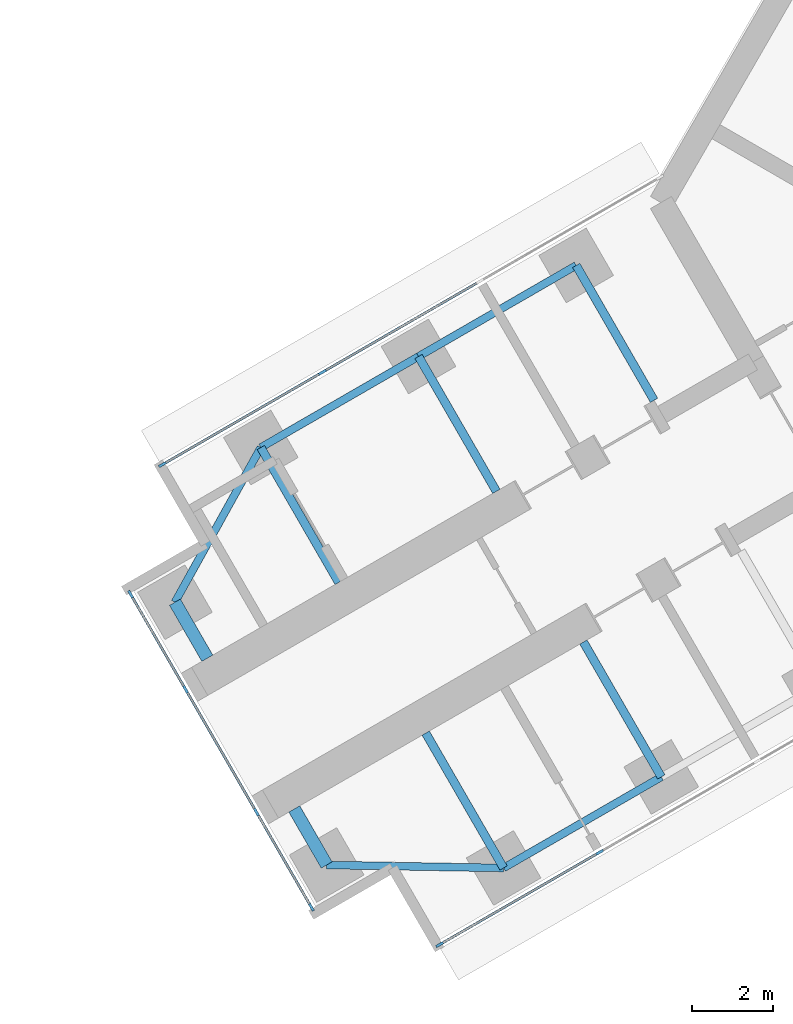
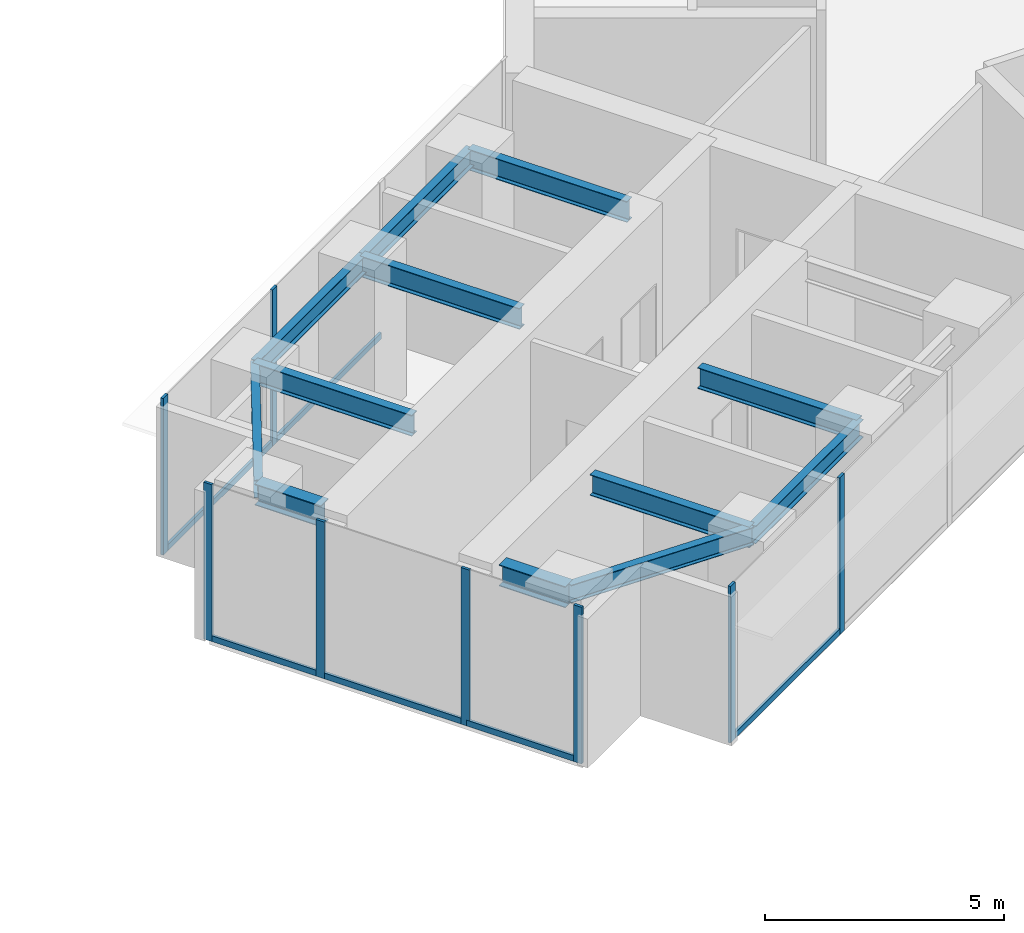
# One storey, part 3 of 21: 14 members, 12 beams, 3 elements without a shape of their own.
"""IFC4 building model written with IfcOpenShell, lengths in metres."""

import ifcopenshell
import ifcopenshell.guid

model = None  # the IFC model being written
_history = None  # IfcOwnerHistory: only IFC2X3 demands one
_inside = {}  # id of a spatial element -> (the spatial element, [elements in it])
_under = {}  # id of a project, library or spatial element -> (it, [spatial elements below it])
_declared = {}  # id of a project -> (the project, [libraries it declares])
_typed = {}  # id of a type object -> (the type object, [elements of that type])
_made_of = {}  # id of a material, layer set ... -> (it, [elements and type objects made of it])


def new_model(schema):
    """Start an empty IFC model of exactly this schema.

    Asked for "IFC4X3", IfcOpenShell would pick the latest addendum, in which some entities
    have other attributes; the version numbers below select the first issue.
    IFC2X3 requires an IfcOwnerHistory on every rooted entity: one is made here for all.
    """
    global model, _history
    if schema == "IFC4X3":
        model = ifcopenshell.file(schema_version=(4, 3, 0, 0))
    else:
        model = ifcopenshell.file(schema=schema)
    _inside.clear()
    _under.clear()
    _declared.clear()
    _typed.clear()
    _made_of.clear()
    _history = None
    if model.schema == "IFC2X3":
        org = make("IfcOrganization", Name="unknown")
        user = make(
            "IfcPersonAndOrganization",
            ThePerson=make("IfcPerson", FamilyName="unknown"),
            TheOrganization=org,
        )
        app = make(
            "IfcApplication",
            ApplicationDeveloper=org,
            Version="unknown",
            ApplicationFullName="unknown",
            ApplicationIdentifier="unknown",
        )
        _history = make(
            "IfcOwnerHistory",
            OwningUser=user,
            OwningApplication=app,
            ChangeAction="ADDED",
            CreationDate=0,
        )
    return model


def make(cls, **values):
    """One entity of the class cls with the attributes given. An attribute that is None is left unset."""
    return model.create_entity(
        cls, **{name: value for name, value in values.items() if value is not None}
    )


def rooted(cls, **values):
    """An entity with a GlobalId (a new one), such as an element, a storey or a relation."""
    return make(cls, GlobalId=ifcopenshell.guid.new(), OwnerHistory=_history, **values)


def si_unit(unit_type, name, prefix=None):
    """IfcSIUnit, for example si_unit("LENGTHUNIT", "METRE", prefix="MILLI")."""
    return make("IfcSIUnit", UnitType=unit_type, Prefix=prefix, Name=name)


def assignment(units):
    """IfcUnitAssignment: the units of a project."""
    return None if units is None else make("IfcUnitAssignment", Units=units)


def point(xyz):
    """IfcCartesianPoint."""
    return None if xyz is None else make("IfcCartesianPoint", Coordinates=xyz)


def direction(xyz):
    """IfcDirection."""
    return None if xyz is None else make("IfcDirection", DirectionRatios=xyz)


def frame(location, z_axis=None, x_axis=None):
    """IfcAxis2Placement3D, a coordinate frame: its origin and axes. An axis left out is left unset."""
    return make(
        "IfcAxis2Placement3D",
        Location=point(location),
        Axis=direction(z_axis),
        RefDirection=direction(x_axis),
    )


def frame_2d(location, x_axis=None):
    """IfcAxis2Placement2D, a coordinate frame in the plane: its origin and x axis."""
    return make(
        "IfcAxis2Placement2D", Location=point(location), RefDirection=direction(x_axis)
    )


def origin():
    """The frame at (0, 0, 0) with its axes left unset."""
    return frame((0.0, 0.0, 0.0))


def origin_2d():
    """The frame at (0, 0) in the plane with its x axis left unset."""
    return frame_2d((0.0, 0.0))


def place(relative_to, where):
    """IfcLocalPlacement: puts the frame where relative to a parent placement (None: the world)."""
    return make(
        "IfcLocalPlacement", PlacementRelTo=relative_to, RelativePlacement=where
    )


def context(
    kind, dimensions, precision=None, world=None, true_north=None, identifier=None
):
    """IfcGeometricRepresentationContext, for example the 3D "Model" context."""
    return make(
        "IfcGeometricRepresentationContext",
        ContextIdentifier=identifier,
        ContextType=kind,
        CoordinateSpaceDimension=dimensions,
        Precision=precision,
        WorldCoordinateSystem=world,
        TrueNorth=true_north,
    )


def subcontext(parent, identifier, kind, view, scale=None):
    """IfcGeometricRepresentationSubContext, for example "Body" below "Model"."""
    return make(
        "IfcGeometricRepresentationSubContext",
        ContextIdentifier=identifier,
        ContextType=kind,
        ParentContext=parent,
        TargetScale=scale,
        TargetView=view,
    )


def project(units=None, contexts=None):
    """IfcProject with its units and contexts."""
    return rooted(
        "IfcProject",
        Name="project",
        RepresentationContexts=contexts,
        UnitsInContext=assignment(units),
    )


def spatial(cls, under=None, at=None, **own):
    """A site, building, storey or space (cls), placed at a placement, below another one or the project."""
    s = rooted(cls, ObjectPlacement=at, **own)
    if under is not None:
        _under.setdefault(under.id(), (under, []))[1].append(s)
    return s


def profile(cls, at=None, kind="AREA", **sizes):
    """A parametric profile (cls). Its sizes go by their IFC names, for example OverallWidth=200.0."""
    return make(cls, ProfileType=kind, Position=at, **sizes)


def rectangle(**sizes):
    """IfcRectangleProfileDef."""
    return profile("IfcRectangleProfileDef", **sizes)


def i_section(**sizes):
    """IfcIShapeProfileDef."""
    return profile("IfcIShapeProfileDef", **sizes)


def extrude(swept, where, along, depth):
    """IfcExtrudedAreaSolid: the profile swept, set in the frame where, extruded along a direction by depth."""
    return make(
        "IfcExtrudedAreaSolid",
        SweptArea=swept,
        Position=where,
        ExtrudedDirection=direction(along),
        Depth=depth,
    )


def shape(context_of_items, identifier, shape_type, items):
    """IfcShapeRepresentation: the items that make up one representation, for example the "Body"."""
    return make(
        "IfcShapeRepresentation",
        ContextOfItems=context_of_items,
        RepresentationIdentifier=identifier,
        RepresentationType=shape_type,
        Items=items,
    )


def material(Name=None, Category=None):
    """IfcMaterial."""
    return make("IfcMaterial", Name=Name, Category=Category)


def material_profile(
    of_material, cross_section, Name=None, Category=None, Priority=None
):
    """IfcMaterialProfile: a cross section and its material."""
    return make(
        "IfcMaterialProfile",
        Name=Name,
        Material=of_material,
        Profile=cross_section,
        Priority=Priority,
        Category=Category,
    )


def profile_set(profiles, Name=None, composite=None):
    """IfcMaterialProfileSet."""
    return make(
        "IfcMaterialProfileSet",
        Name=Name,
        MaterialProfiles=profiles,
        CompositeProfile=composite,
    )


def made_of(thing, what):
    """Note that an element or type object is made of a material, layer set ...; save() writes the relation."""
    if what is not None:
        _made_of.setdefault(what.id(), (what, []))[1].append(thing)
    return thing


def type_object(cls, material=None, **own):
    """A type object (cls), such as IfcWallType, which elements share."""
    return made_of(rooted(cls, **own), material)


def element(
    cls,
    number,
    at=None,
    inside=None,
    cuts=None,
    type_object=None,
    material=None,
    context=None,
    identifier="Body",
    shape_type=None,
    held_by="IfcProductDefinitionShape",
    body=None,
    shapes=None,
    **own,
):
    """One element of the class cls, such as IfcWall. Its Tag is "e" and its number.

    at: its placement. inside: the storey or other place that contains it. cuts: it is an
    opening in that element (IfcRelVoidsElement). A single representation is given by context,
    identifier, shape_type and body (its items); several are given by shapes. held_by: the class
    of the entity that holds the representations. save() writes the other relations.
    """
    e = rooted(cls, Tag="e%d" % number, ObjectPlacement=at, **own)
    if body is not None:
        shapes = [shape(context, identifier, shape_type, body)]
    if shapes is not None:
        e.Representation = make(held_by, Representations=shapes)
    if inside is not None:
        _inside.setdefault(inside.id(), (inside, []))[1].append(e)
    if cuts is not None:
        rooted(
            "IfcRelVoidsElement", RelatingBuildingElement=cuts, RelatedOpeningElement=e
        )
    if type_object is not None:
        _typed.setdefault(type_object.id(), (type_object, []))[1].append(e)
    return made_of(e, material)


def aggregate(whole, parts):
    """IfcRelAggregates: a whole, such as a stair, and the parts it consists of."""
    return rooted("IfcRelAggregates", RelatingObject=whole, RelatedObjects=parts)


def save(model, path):
    """Write the relations noted so far, then the file.

    IfcRelAggregates (storeys below a building ...), IfcRelContainedInSpatialStructure (elements
    in a storey), IfcRelDefinesByType, IfcRelAssociatesMaterial and IfcRelDeclares: one each for
    every whole, place, type object, material and project.
    """
    for whole, parts in _under.values():
        aggregate(whole, parts)
    for where, things in _inside.values():
        rooted(
            "IfcRelContainedInSpatialStructure",
            RelatedElements=things,
            RelatingStructure=where,
        )
    for kind, things in _typed.values():
        rooted("IfcRelDefinesByType", RelatedObjects=things, RelatingType=kind)
    for what, things in _made_of.values():
        rooted("IfcRelAssociatesMaterial", RelatedObjects=things, RelatingMaterial=what)
    for by, libraries in _declared.values():
        rooted("IfcRelDeclares", RelatingContext=by, RelatedDefinitions=libraries)
    model.write(path)


model = new_model("IFC4")

# Units and contexts
model_context = context("Model", 3, precision=1e-05, world=origin(), true_north=direction((0.0, 1.0)))
body_context = subcontext(model_context, "Body", "Model", "MODEL_VIEW")
ifc_project = project(units=[si_unit("LENGTHUNIT", "METRE"), si_unit("AREAUNIT", "SQUARE_METRE"), si_unit("VOLUMEUNIT", "CUBIC_METRE"), si_unit("PLANEANGLEUNIT", "RADIAN"), si_unit("MASSUNIT", "GRAM", prefix="KILO")], contexts=[model_context])

# Site, building, storey
site_placement = place(None, origin())
site = spatial("IfcSite", under=ifc_project, at=site_placement, CompositionType="ELEMENT")
building_placement = place(site_placement, origin())
building = spatial("IfcBuilding", under=site, at=building_placement, Name="Upepo Twin Towers", CompositionType="ELEMENT")
storey_placement = place(building_placement, frame((0.0, 0.0, 117.5)))
storey = spatial("IfcBuildingStorey", under=building, at=storey_placement, Name="L28", CompositionType="ELEMENT", Elevation=117.5)

# Beams
ifc_material_1 = material(Name="Steel S355", Category="steel")
ifc_material_profile_1 = material_profile(ifc_material_1, i_section(OverallWidth=0.1904296875, OverallDepth=0.45703125, WebThickness=0.009033203125, FlangeThickness=0.014404296875, FilletRadius=0.01025390625, at=origin_2d()), Name="UB 457x191x74")
ifc_profile_set_1 = profile_set([ifc_material_profile_1], Name="Steel S355")
beam_type_1 = type_object("IfcBeamType", Name="Beam UB 457x191x74", PredefinedType="BEAM", material=ifc_profile_set_1)
beam_1_placement = place(storey_placement, frame((45.91162109375, -32.196044921875, 3.571533203125), z_axis=(-0.866031096941, -0.499990139034, 0.0), x_axis=(0.499990139034, -0.866031096941, 0.0)))
element("IfcBeam", 1, at=beam_1_placement, inside=storey, type_object=beam_type_1, Name="T2 edge beam BL 18.0-22.5", PredefinedType="BEAM", context=body_context, shape_type="SweptSolid", body=[
    extrude(i_section(OverallWidth=0.1904296875, OverallDepth=0.45703125, WebThickness=0.009033203125, FlangeThickness=0.014404296875, FilletRadius=0.01025390625, at=origin_2d()), origin(), (0.0, 0.0, 1.0), 4.5),
])
beam_2_placement = place(storey_placement, frame((42.014404296875, -34.446044921875, 3.571533203125), z_axis=(-0.999858804832, 0.016803880528, 0.0), x_axis=(-0.016803880528, -0.999858804832, 0.0)))
element("IfcBeam", 2, at=beam_2_placement, inside=storey, type_object=beam_type_1, Name="T2 nose edge beam BL", PredefinedType="BEAM", context=body_context, shape_type="SweptSolid", body=[
    extrude(i_section(OverallWidth=0.1904296875, OverallDepth=0.45703125, WebThickness=0.009033203125, FlangeThickness=0.014404296875, FilletRadius=0.01025390625, at=origin_2d()), origin(), (0.0, 0.0, 1.0), 4.373291015625),
])
beam_3_placement = place(storey_placement, frame((43.80859375, -19.553955078125, 3.571533203125), z_axis=(-0.866017533419, -0.500013631625, 0.0), x_axis=(0.500013631625, -0.866017533419, 0.0)))
element("IfcBeam", 3, at=beam_3_placement, inside=storey, type_object=beam_type_1, Name="T2 edge beam BR 13.5-18.0", PredefinedType="BEAM", context=body_context, shape_type="SweptSolid", body=[
    extrude(i_section(OverallWidth=0.1904296875, OverallDepth=0.45703125, WebThickness=0.009033203125, FlangeThickness=0.014404296875, FilletRadius=0.01025390625, at=origin_2d()), origin(), (0.0, 0.0, 1.0), 4.499755859375),
])
beam_4_placement = place(storey_placement, frame((39.91162109375, -21.803955078125, 3.571533203125), z_axis=(-0.866031096941, -0.499990139034, 0.0), x_axis=(0.499990139034, -0.866031096941, 0.0)))
element("IfcBeam", 4, at=beam_4_placement, inside=storey, type_object=beam_type_1, Name="T2 edge beam BR 18.0-22.5", PredefinedType="BEAM", context=body_context, shape_type="SweptSolid", body=[
    extrude(i_section(OverallWidth=0.1904296875, OverallDepth=0.45703125, WebThickness=0.009033203125, FlangeThickness=0.014404296875, FilletRadius=0.01025390625, at=origin_2d()), origin(), (0.0, 0.0, 1.0), 4.5),
])
beam_5_placement = place(storey_placement, frame((36.014404296875, -24.053955078125, 3.571533203125), z_axis=(-0.485363242752, -0.874312600038, 0.0), x_axis=(0.874312600038, -0.485363242752, 0.0)))
element("IfcBeam", 5, at=beam_5_placement, inside=storey, type_object=beam_type_1, Name="T2 nose edge beam BR", PredefinedType="BEAM", context=body_context, shape_type="SweptSolid", body=[
    extrude(i_section(OverallWidth=0.1904296875, OverallDepth=0.45703125, WebThickness=0.009033203125, FlangeThickness=0.014404296875, FilletRadius=0.01025390625, at=origin_2d()), origin(), (0.0, 0.0, 1.0), 4.373046875),
])
ifc_material_2 = material(Name="Steel S355", Category="steel")
ifc_material_profile_2 = material_profile(ifc_material_2, i_section(OverallWidth=0.209228515625, OverallDepth=0.533203125, WebThickness=0.010009765625, FlangeThickness=0.015625, FilletRadius=0.0126953125, at=origin_2d()), Name="UB 533x210x92")
ifc_profile_set_2 = profile_set([ifc_material_profile_2], Name="Steel S355")
beam_type_2 = type_object("IfcBeamType", Name="Beam UB 533x210x92", PredefinedType="BEAM", material=ifc_profile_set_2)
for number, where, z_axis, x_axis, name in (
    (6, (45.91162109375, -32.196044921875, 3.533447265625), (-0.500033517596, 0.866006051527, 0.0), (-0.866006051527, -0.500033517596, 0.0), "T2 girder BL at 18.0"),
    (7, (42.014404296875, -34.446044921875, 3.533447265625), (-0.500033517596, 0.866006051527, 0.0), (-0.866006051527, -0.500033517596, 0.0), "T2 girder BL at 22.5"),
    (8, (43.80859375, -19.553955078125, 3.533447265625), (0.500033517596, -0.866006051527, 0.0), (0.866006051527, 0.500033517596, 0.0), "T2 girder BR at 13.5"),
):
    element("IfcBeam", number, at=place(storey_placement, frame(where, z_axis=z_axis, x_axis=x_axis)), inside=storey, type_object=beam_type_2, Name=name, PredefinedType="BEAM", context=body_context, shape_type="SweptSolid", body=[
        extrude(i_section(OverallWidth=0.209228515625, OverallDepth=0.533203125, WebThickness=0.010009765625, FlangeThickness=0.015625, FilletRadius=0.0126953125, at=origin_2d()), origin(), (0.0, 0.0, 1.0), 3.849853515625),
    ])
beam_6_placement = place(storey_placement, frame((39.91162109375, -21.803955078125, 3.533447265625), z_axis=(0.499985955615, -0.866033512162, 0.0), x_axis=(0.866033512162, 0.499985955615, 0.0)))
element("IfcBeam", 9, at=beam_6_placement, inside=storey, type_object=beam_type_2, Name="T2 girder BR at 18.0", PredefinedType="BEAM", context=body_context, shape_type="SweptSolid", body=[
    extrude(i_section(OverallWidth=0.209228515625, OverallDepth=0.533203125, WebThickness=0.010009765625, FlangeThickness=0.015625, FilletRadius=0.0126953125, at=origin_2d()), origin(), (0.0, 0.0, 1.0), 3.849609375),
])
beam_7_placement = place(storey_placement, frame((36.014404296875, -24.053955078125, 3.533447265625), z_axis=(0.500033517596, -0.866006051527, 0.0), x_axis=(0.866006051527, 0.500033517596, 0.0)))
element("IfcBeam", 10, at=beam_7_placement, inside=storey, type_object=beam_type_2, Name="T2 girder BR at 22.5", PredefinedType="BEAM", context=body_context, shape_type="SweptSolid", body=[
    extrude(i_section(OverallWidth=0.209228515625, OverallDepth=0.533203125, WebThickness=0.010009765625, FlangeThickness=0.015625, FilletRadius=0.0126953125, at=origin_2d()), origin(), (0.0, 0.0, 1.0), 3.849853515625),
])
ifc_material_3 = material(Name="Steel S355", Category="steel")
ifc_material_profile_3 = material_profile(ifc_material_3, i_section(OverallWidth=0.31201171875, OverallDepth=0.54345703125, WebThickness=0.0126953125, FlangeThickness=0.020263671875, FilletRadius=0.0126953125, at=origin_2d()), Name="UB 533x312x150")
ifc_profile_set_3 = profile_set([ifc_material_profile_3], Name="Steel S355")
beam_type_3 = type_object("IfcBeamType", Name="Beam UB 533x312x150", PredefinedType="BEAM", material=ifc_profile_set_3)
for number, where, z_axis, x_axis, name in (
    (11, (37.641845703125, -34.37255859375, 3.5283203125), (-0.500061482766, 0.865989903783, 0.0), (-0.865989903783, -0.500061482766, 0.0), "T2 nose beam BL"),
    (12, (33.891845703125, -27.87744140625, 3.5283203125), (0.500061482766, -0.865989903783, 0.0), (0.865989903783, 0.500061482766, 0.0), "T2 nose beam BR"),
):
    element("IfcBeam", number, at=place(storey_placement, frame(where, z_axis=z_axis, x_axis=x_axis)), inside=storey, type_object=beam_type_3, Name=name, PredefinedType="BEAM", context=body_context, shape_type="SweptSolid", body=[
        extrude(i_section(OverallWidth=0.31201171875, OverallDepth=0.54345703125, WebThickness=0.0126953125, FlangeThickness=0.020263671875, FilletRadius=0.0126953125, at=origin_2d()), origin(), (0.0, 0.0, 1.0), 1.599853515625),
    ])

# Curtain wall, members
ifc_material_4 = material(Name="Aluminium and fritted glass", Category="aluminium")
curtain_wall_type = type_object("IfcCurtainWallType", Name="Tower curtain wall TW2, fritted glass", PredefinedType="NOTDEFINED", material=ifc_material_4)
curtain_wall_1_placement = place(storey_placement, origin())
curtain_wall_1 = element("IfcCurtainWall", 13, at=curtain_wall_1_placement, inside=storey, type_object=curtain_wall_type, Name="T2 L28 wing B flank L curtain wall", PredefinedType="NOTDEFINED")
ifc_material_5 = material(Name="Aluminium mullion", Category="aluminium")
ifc_material_profile_4 = material_profile(ifc_material_5, rectangle(XDim=0.06494140625, YDim=0.199951171875, at=origin_2d()), Name="MULLION 65x200")
ifc_profile_set_4 = profile_set([ifc_material_profile_4], Name="Aluminium mullion")
member_type_1 = type_object("IfcMemberType", Name="Mullion 65x200 TW2", PredefinedType="MULLION", material=ifc_profile_set_4)
member_1_placement = place(storey_placement, frame((44.387939453125, -34.057373046875, 0.0), z_axis=(0.0, 0.0, 1.0), x_axis=(0.500000010308, -0.866025397833, 0.0)))
member_1 = element("IfcMember", 14, at=member_1_placement, type_object=member_type_1, Name="T2 L28 wing B flank L curtain wall mullion 3", PredefinedType="MULLION", context=body_context, shape_type="SweptSolid", body=[
    extrude(rectangle(XDim=0.06494140625, YDim=0.199951171875, at=origin_2d()), origin(), (0.0, 0.0, 1.0), 4.0),
])
member_2_placement = place(storey_placement, frame((40.432373046875, -36.341064453125, 0.0), z_axis=(0.0, 0.0, 1.0), x_axis=(0.500000010308, -0.866025397833, 0.0)))
member_2 = element("IfcMember", 15, at=member_2_placement, type_object=member_type_1, Name="T2 L28 wing B flank L curtain wall mullion 4", PredefinedType="MULLION", context=body_context, shape_type="SweptSolid", body=[
    extrude(rectangle(XDim=0.06494140625, YDim=0.199951171875, at=origin_2d()), origin(), (0.0, 0.0, 1.0), 4.0),
])

curtain_wall_2_placement = place(storey_placement, origin())
curtain_wall_2 = element("IfcCurtainWall", 16, at=curtain_wall_2_placement, inside=storey, type_object=curtain_wall_type, Name="T2 L28 wing B flank R curtain wall", PredefinedType="NOTDEFINED")
member_3_placement = place(storey_placement, frame((33.58251953125, -24.4765625, 0.0), z_axis=(0.0, 0.0, 1.0), x_axis=(-0.500000010308, 0.866025397833, 0.0)))
member_3 = element("IfcMember", 17, at=member_3_placement, type_object=member_type_1, Name="T2 L28 wing B flank R curtain wall mullion 1", PredefinedType="MULLION", context=body_context, shape_type="SweptSolid", body=[
    extrude(rectangle(XDim=0.06494140625, YDim=0.199951171875, at=origin_2d()), origin(), (0.0, 0.0, 1.0), 4.0),
])
member_4_placement = place(storey_placement, frame((37.5380859375, -22.192626953125, 0.0), z_axis=(0.0, 0.0, 1.0), x_axis=(-0.500000010308, 0.866025397833, 0.0)))
member_4 = element("IfcMember", 18, at=member_4_placement, type_object=member_type_1, Name="T2 L28 wing B flank R curtain wall mullion 2", PredefinedType="MULLION", context=body_context, shape_type="SweptSolid", body=[
    extrude(rectangle(XDim=0.06494140625, YDim=0.199951171875, at=origin_2d()), origin(), (0.0, 0.0, 1.0), 4.0),
])

curtain_wall_3_placement = place(storey_placement, origin())
curtain_wall_3 = element("IfcCurtainWall", 19, at=curtain_wall_3_placement, inside=storey, type_object=curtain_wall_type, Name="T2 L28 wing B nose curtain wall", PredefinedType="NOTDEFINED")
member_5_placement = place(storey_placement, frame((32.796875, -27.68115234375, 0.0), z_axis=(0.0, 0.0, 1.0), x_axis=(0.866025386174, 0.500000030502, 0.0)))
member_5 = element("IfcMember", 20, at=member_5_placement, type_object=member_type_1, Name="T2 L28 wing B nose curtain wall mullion 1", PredefinedType="MULLION", context=body_context, shape_type="SweptSolid", body=[
    extrude(rectangle(XDim=0.06494140625, YDim=0.199951171875, at=origin_2d()), origin(), (0.0, 0.0, 1.0), 4.0),
])
member_6_placement = place(storey_placement, frame((34.15576171875, -30.034423828125, 0.0), z_axis=(0.0, 0.0, 1.0), x_axis=(0.866025386174, 0.500000030502, 0.0)))
member_6 = element("IfcMember", 21, at=member_6_placement, type_object=member_type_1, Name="T2 L28 wing B nose curtain wall mullion 2", PredefinedType="MULLION", context=body_context, shape_type="SweptSolid", body=[
    extrude(rectangle(XDim=0.06494140625, YDim=0.199951171875, at=origin_2d()), origin(), (0.0, 0.0, 1.0), 4.0),
])
member_7_placement = place(storey_placement, frame((35.90576171875, -33.0654296875, 0.0), z_axis=(0.0, 0.0, 1.0), x_axis=(0.866025386174, 0.500000030502, 0.0)))
member_7 = element("IfcMember", 22, at=member_7_placement, type_object=member_type_1, Name="T2 L28 wing B nose curtain wall mullion 3", PredefinedType="MULLION", context=body_context, shape_type="SweptSolid", body=[
    extrude(rectangle(XDim=0.06494140625, YDim=0.199951171875, at=origin_2d()), origin(), (0.0, 0.0, 1.0), 4.0),
])
member_8_placement = place(storey_placement, frame((37.264404296875, -35.4189453125, 0.0), z_axis=(0.0, 0.0, 1.0), x_axis=(0.866025386174, 0.500000030502, 0.0)))
member_8 = element("IfcMember", 23, at=member_8_placement, type_object=member_type_1, Name="T2 L28 wing B nose curtain wall mullion 4", PredefinedType="MULLION", context=body_context, shape_type="SweptSolid", body=[
    extrude(rectangle(XDim=0.06494140625, YDim=0.199951171875, at=origin_2d()), origin(), (0.0, 0.0, 1.0), 4.0),
])

# Member
ifc_material_6 = material(Name="Aluminium transom", Category="aluminium")
ifc_material_profile_5 = material_profile(ifc_material_6, rectangle(XDim=0.06494140625, YDim=0.14990234375, at=origin_2d()), Name="TRANSOM 65x150")
ifc_profile_set_5 = profile_set([ifc_material_profile_5], Name="Aluminium transom")
member_type_2 = type_object("IfcMemberType", Name="Transom 65x150 TW2", PredefinedType="USERDEFINED", material=ifc_profile_set_5)
member_9_placement = place(storey_placement, frame((44.35986328125, -34.073486328125, 0.074951171875), z_axis=(-0.866035699072, -0.499982167615, 0.0), x_axis=(0.499982167615, -0.866035699072, 0.0)))
member_9 = element("IfcMember", 24, at=member_9_placement, type_object=member_type_2, Name="T2 L28 wing B flank L curtain wall transom 3", ObjectType="TRANSOM", PredefinedType="USERDEFINED", context=body_context, shape_type="SweptSolid", body=[
    extrude(rectangle(XDim=0.06494140625, YDim=0.14990234375, at=origin_2d()), origin(), (0.0, 0.0, 1.0), 4.502685546875),
])

aggregate(curtain_wall_1, [member_1, member_2, member_9])

member_10_placement = place(storey_placement, frame((33.610595703125, -24.460205078125, 0.074951171875), z_axis=(0.866022143554, 0.500005646842, 0.0), x_axis=(-0.500005646842, 0.866022143554, 0.0)))
member_10 = element("IfcMember", 25, at=member_10_placement, type_object=member_type_2, Name="T2 L28 wing B flank R curtain wall transom 1", ObjectType="TRANSOM", PredefinedType="USERDEFINED", context=body_context, shape_type="SweptSolid", body=[
    extrude(rectangle(XDim=0.06494140625, YDim=0.14990234375, at=origin_2d()), origin(), (0.0, 0.0, 1.0), 4.50244140625),
])

member_11_placement = place(storey_placement, frame((37.566162109375, -22.176513671875, 0.074951171875), z_axis=(0.866022410713, 0.500005184116, 0.0), x_axis=(-0.500005184116, 0.866022410713, 0.0)))
member_11 = element("IfcMember", 26, at=member_11_placement, type_object=member_type_2, Name="T2 L28 wing B flank R curtain wall transom 2", ObjectType="TRANSOM", PredefinedType="USERDEFINED", context=body_context, shape_type="SweptSolid", body=[
    extrude(rectangle(XDim=0.06494140625, YDim=0.14990234375, at=origin_2d()), origin(), (0.0, 0.0, 1.0), 4.43505859375),
])

aggregate(curtain_wall_2, [member_3, member_4, member_10, member_11])

member_12_placement = place(storey_placement, frame((32.813232421875, -27.709228515625, 0.074951171875), z_axis=(0.499980071345, -0.866036909293, 0.0), x_axis=(0.866036909293, 0.499980071345, 0.0)))
member_12 = element("IfcMember", 27, at=member_12_placement, type_object=member_type_2, Name="T2 L28 wing B nose curtain wall transom 1", ObjectType="TRANSOM", PredefinedType="USERDEFINED", context=body_context, shape_type="SweptSolid", body=[
    extrude(rectangle(XDim=0.06494140625, YDim=0.14990234375, at=origin_2d()), origin(), (0.0, 0.0, 1.0), 2.65234375),
])

member_13_placement = place(storey_placement, frame((34.171875, -30.0625, 0.074951171875), z_axis=(0.499999305434, -0.866025804792, 0.0), x_axis=(0.866025804792, 0.499999305434, 0.0)))
member_13 = element("IfcMember", 28, at=member_13_placement, type_object=member_type_2, Name="T2 L28 wing B nose curtain wall transom 2", ObjectType="TRANSOM", PredefinedType="USERDEFINED", context=body_context, shape_type="SweptSolid", body=[
    extrude(rectangle(XDim=0.06494140625, YDim=0.14990234375, at=origin_2d()), origin(), (0.0, 0.0, 1.0), 3.43505859375),
])

member_14_placement = place(storey_placement, frame((35.921875, -33.09375, 0.074951171875), z_axis=(0.500049101008, -0.865997053448, 0.0), x_axis=(0.865997053448, 0.500049101008, 0.0)))
member_14 = element("IfcMember", 29, at=member_14_placement, type_object=member_type_2, Name="T2 L28 wing B nose curtain wall transom 3", ObjectType="TRANSOM", PredefinedType="USERDEFINED", context=body_context, shape_type="SweptSolid", body=[
    extrude(rectangle(XDim=0.06494140625, YDim=0.14990234375, at=origin_2d()), origin(), (0.0, 0.0, 1.0), 2.652587890625),
])

aggregate(curtain_wall_3, [member_5, member_6, member_7, member_8, member_12, member_13, member_14])

save(model, "model.ifc")
